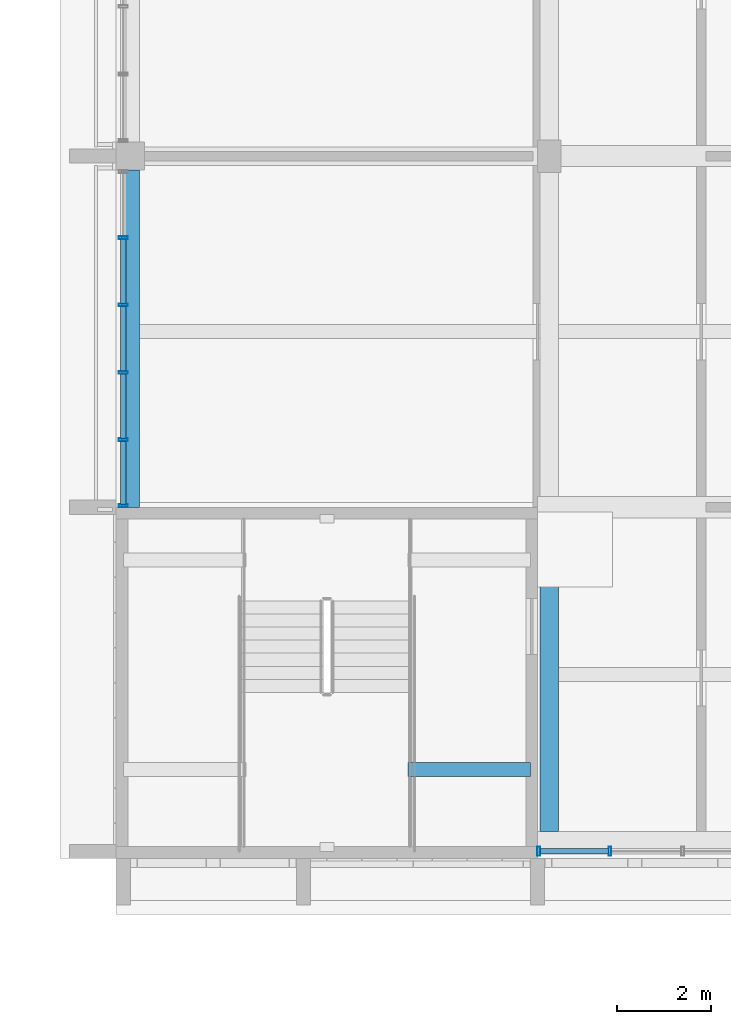
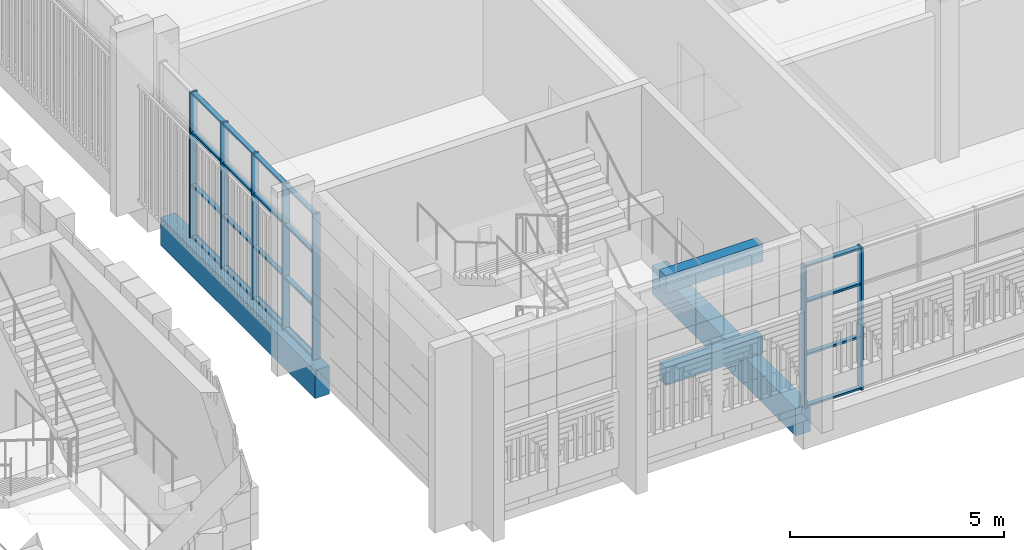
# One storey, part 29 of 125: 27 members, 4 beams, 2 elements without a shape of their own.
"""IFC4 building model written with IfcOpenShell, lengths in metres."""

from ifc_helpers import new_model, si_unit, direction, frame, origin, origin_2d, place, context, subcontext, project, spatial, rectangle, hollow_rectangle, extrude, material, material_profile, profile_set, type_object, element, aggregate, save


model = new_model("IFC4")

# Units and contexts
model_context = context("Model", 3, precision=1e-05, world=origin(), true_north=direction((0.0, 1.0)))
body_context = subcontext(model_context, "Body", "Model", "MODEL_VIEW")
ifc_project = project(units=[si_unit("LENGTHUNIT", "METRE"), si_unit("AREAUNIT", "SQUARE_METRE"), si_unit("VOLUMEUNIT", "CUBIC_METRE"), si_unit("PLANEANGLEUNIT", "RADIAN"), si_unit("MASSUNIT", "GRAM", prefix="KILO")], contexts=[model_context])

# Site, building, storey
site_placement = place(None, origin())
site = spatial("IfcSite", under=ifc_project, at=site_placement, CompositionType="ELEMENT")
building_placement = place(site_placement, origin())
building = spatial("IfcBuilding", under=site, at=building_placement, Name="Sun Court Science Centre", CompositionType="ELEMENT")
storey_placement = place(building_placement, frame((0.0, 0.0, 6.0)))
storey = spatial("IfcBuildingStorey", under=building, at=storey_placement, Name="L01", CompositionType="ELEMENT", Elevation=6.0)

# Curtain wall, members
ifc_material_1 = material(Name="Aluminium EN AW-6063 T6", Category="aluminium")
curtain_wall_type = type_object("IfcCurtainWallType", Name="Laboratory tall bay curtain wall 1500", PredefinedType="NOTDEFINED", material=ifc_material_1)
curtain_wall_1_placement = place(storey_placement, origin())
curtain_wall_1 = element("IfcCurtainWall", 1, at=curtain_wall_1_placement, inside=storey, type_object=curtain_wall_type, Name="Curtain wall V4 W L01 01", PredefinedType="NOTDEFINED")
ifc_material_2 = material(Name="Aluminium EN AW-6063 T6", Category="aluminium")
ifc_material_profile_1 = material_profile(ifc_material_2, hollow_rectangle(XDim=0.06005859375, YDim=0.199951171875, WallThickness=0.0048828125, InnerFilletRadius=0.0048828125, OuterFilletRadius=0.007568359375, at=origin_2d()), Name="AL 60x200x5")
ifc_profile_set_1 = profile_set([ifc_material_profile_1], Name="Aluminium EN AW-6063 T6")
member_type_1 = type_object("IfcMemberType", Name="Curtain wall mullion AL 60x200", PredefinedType="MULLION", material=ifc_profile_set_1)
member_1_placement = place(storey_placement, frame((78.14990234375, 13.530029296875, 0.0), z_axis=(0.0, 0.0, 1.0), x_axis=(0.0, 1.0, 0.0)))
member_1 = element("IfcMember", 2, at=member_1_placement, type_object=member_type_1, Name="CW2-10 mullion 1", PredefinedType="MULLION", context=body_context, shape_type="SweptSolid", body=[
    extrude(hollow_rectangle(XDim=0.06005859375, YDim=0.199951171875, WallThickness=0.0048828125, InnerFilletRadius=0.0048828125, OuterFilletRadius=0.007568359375, at=origin_2d()), origin(), (0.0, 0.0, 1.0), 4.14990234375),
])
member_2_placement = place(storey_placement, frame((78.14990234375, 14.93994140625, 0.0), z_axis=(0.0, 0.0, 1.0), x_axis=(0.0, 1.0, 0.0)))
member_2 = element("IfcMember", 3, at=member_2_placement, type_object=member_type_1, Name="CW2-10 mullion 2", PredefinedType="MULLION", context=body_context, shape_type="SweptSolid", body=[
    extrude(hollow_rectangle(XDim=0.06005859375, YDim=0.199951171875, WallThickness=0.0048828125, InnerFilletRadius=0.0048828125, OuterFilletRadius=0.007568359375, at=origin_2d()), origin(), (0.0, 0.0, 1.0), 4.14990234375),
])
member_3_placement = place(storey_placement, frame((78.14990234375, 16.3798828125, 0.0), z_axis=(0.0, 0.0, 1.0), x_axis=(0.0, 1.0, 0.0)))
member_3 = element("IfcMember", 4, at=member_3_placement, type_object=member_type_1, Name="CW2-10 mullion 3", PredefinedType="MULLION", context=body_context, shape_type="SweptSolid", body=[
    extrude(hollow_rectangle(XDim=0.06005859375, YDim=0.199951171875, WallThickness=0.0048828125, InnerFilletRadius=0.0048828125, OuterFilletRadius=0.007568359375, at=origin_2d()), origin(), (0.0, 0.0, 1.0), 4.14990234375),
])
member_4_placement = place(storey_placement, frame((78.14990234375, 17.820068359375, 0.0), z_axis=(0.0, 0.0, 1.0), x_axis=(0.0, 1.0, 0.0)))
member_4 = element("IfcMember", 5, at=member_4_placement, type_object=member_type_1, Name="CW2-10 mullion 4", PredefinedType="MULLION", context=body_context, shape_type="SweptSolid", body=[
    extrude(hollow_rectangle(XDim=0.06005859375, YDim=0.199951171875, WallThickness=0.0048828125, InnerFilletRadius=0.0048828125, OuterFilletRadius=0.007568359375, at=origin_2d()), origin(), (0.0, 0.0, 1.0), 4.14990234375),
])
member_5_placement = place(storey_placement, frame((78.14990234375, 19.260009765625, 0.0), z_axis=(0.0, 0.0, 1.0), x_axis=(0.0, 1.0, 0.0)))
member_5 = element("IfcMember", 6, at=member_5_placement, type_object=member_type_1, Name="CW2-10 mullion 5", PredefinedType="MULLION", context=body_context, shape_type="SweptSolid", body=[
    extrude(hollow_rectangle(XDim=0.06005859375, YDim=0.199951171875, WallThickness=0.0048828125, InnerFilletRadius=0.0048828125, OuterFilletRadius=0.007568359375, at=origin_2d()), origin(), (0.0, 0.0, 1.0), 4.14990234375),
])

curtain_wall_2_placement = place(storey_placement, origin())
curtain_wall_2 = element("IfcCurtainWall", 7, at=curtain_wall_2_placement, inside=storey, type_object=curtain_wall_type, Name="Curtain wall V4 S L01 02", PredefinedType="NOTDEFINED")
member_6_placement = place(storey_placement, frame((87.030029296875, 6.14990234375, 0.0), z_axis=(0.0, 0.0, 1.0), x_axis=(-1.0, 0.0, 0.0)))
member_6 = element("IfcMember", 8, at=member_6_placement, type_object=member_type_1, Name="CW2-50 mullion 6", PredefinedType="MULLION", context=body_context, shape_type="SweptSolid", body=[
    extrude(hollow_rectangle(XDim=0.06005859375, YDim=0.199951171875, WallThickness=0.0048828125, InnerFilletRadius=0.0048828125, OuterFilletRadius=0.007568359375, at=origin_2d()), origin(), (0.0, 0.0, 1.0), 4.050048828125),
])
member_7_placement = place(storey_placement, frame((88.550048828125, 6.14990234375, 0.0), z_axis=(0.0, 0.0, 1.0), x_axis=(-1.0, 0.0, 0.0)))
member_7 = element("IfcMember", 9, at=member_7_placement, type_object=member_type_1, Name="CW2-50 mullion 5", PredefinedType="MULLION", context=body_context, shape_type="SweptSolid", body=[
    extrude(hollow_rectangle(XDim=0.06005859375, YDim=0.199951171875, WallThickness=0.0048828125, InnerFilletRadius=0.0048828125, OuterFilletRadius=0.007568359375, at=origin_2d()), origin(), (0.0, 0.0, 1.0), 4.050048828125),
])

# Member
ifc_material_3 = material(Name="Aluminium EN AW-6063 T6", Category="aluminium")
ifc_material_profile_2 = material_profile(ifc_material_3, hollow_rectangle(XDim=0.06005859375, YDim=0.1201171875, WallThickness=0.00390625, InnerFilletRadius=0.00390625, OuterFilletRadius=0.006103515625, at=origin_2d()), Name="AL 60x120x4")
ifc_profile_set_2 = profile_set([ifc_material_profile_2], Name="Aluminium EN AW-6063 T6")
member_type_2 = type_object("IfcMemberType", Name="Curtain wall transom AL 60x120", PredefinedType="USERDEFINED", material=ifc_profile_set_2)
member_8_placement = place(storey_placement, frame((78.14990234375, 13.56005859375, 0.030029296875), z_axis=(0.0, 1.0, 0.0), x_axis=(0.0, 0.0, 1.0)))
member_8 = element("IfcMember", 10, at=member_8_placement, type_object=member_type_2, Name="CW2-10 transom 1.1", ObjectType="TRANSOM", PredefinedType="USERDEFINED", context=body_context, shape_type="SweptSolid", body=[
    extrude(hollow_rectangle(XDim=0.06005859375, YDim=0.1201171875, WallThickness=0.00390625, InnerFilletRadius=0.00390625, OuterFilletRadius=0.006103515625, at=origin_2d()), origin(), (0.0, 0.0, 1.0), 1.349853515625),
])

member_9_placement = place(storey_placement, frame((78.14990234375, 14.969970703125, 0.030029296875), z_axis=(0.0, 1.0, 0.0), x_axis=(0.0, 0.0, 1.0)))
member_9 = element("IfcMember", 11, at=member_9_placement, type_object=member_type_2, Name="CW2-10 transom 2.1", ObjectType="TRANSOM", PredefinedType="USERDEFINED", context=body_context, shape_type="SweptSolid", body=[
    extrude(hollow_rectangle(XDim=0.06005859375, YDim=0.1201171875, WallThickness=0.00390625, InnerFilletRadius=0.00390625, OuterFilletRadius=0.006103515625, at=origin_2d()), origin(), (0.0, 0.0, 1.0), 1.380126953125),
])

member_10_placement = place(storey_placement, frame((78.14990234375, 16.409912109375, 0.030029296875), z_axis=(0.0, 1.0, 0.0), x_axis=(0.0, 0.0, 1.0)))
member_10 = element("IfcMember", 12, at=member_10_placement, type_object=member_type_2, Name="CW2-10 transom 3.1", ObjectType="TRANSOM", PredefinedType="USERDEFINED", context=body_context, shape_type="SweptSolid", body=[
    extrude(hollow_rectangle(XDim=0.06005859375, YDim=0.1201171875, WallThickness=0.00390625, InnerFilletRadius=0.00390625, OuterFilletRadius=0.006103515625, at=origin_2d()), origin(), (0.0, 0.0, 1.0), 1.380126953125),
])

member_11_placement = place(storey_placement, frame((78.14990234375, 17.85009765625, 0.030029296875), z_axis=(0.0, 1.0, 0.0), x_axis=(0.0, 0.0, 1.0)))
member_11 = element("IfcMember", 13, at=member_11_placement, type_object=member_type_2, Name="CW2-10 transom 4.1", ObjectType="TRANSOM", PredefinedType="USERDEFINED", context=body_context, shape_type="SweptSolid", body=[
    extrude(hollow_rectangle(XDim=0.06005859375, YDim=0.1201171875, WallThickness=0.00390625, InnerFilletRadius=0.00390625, OuterFilletRadius=0.006103515625, at=origin_2d()), origin(), (0.0, 0.0, 1.0), 1.3798828125),
])

member_12_placement = place(storey_placement, frame((78.14990234375, 13.56005859375, 1.5), z_axis=(0.0, 1.0, 0.0), x_axis=(0.0, 0.0, 1.0)))
member_12 = element("IfcMember", 14, at=member_12_placement, type_object=member_type_2, Name="CW2-10 transom 1.2", ObjectType="TRANSOM", PredefinedType="USERDEFINED", context=body_context, shape_type="SweptSolid", body=[
    extrude(hollow_rectangle(XDim=0.06005859375, YDim=0.1201171875, WallThickness=0.00390625, InnerFilletRadius=0.00390625, OuterFilletRadius=0.006103515625, at=origin_2d()), origin(), (0.0, 0.0, 1.0), 1.349853515625),
])

member_13_placement = place(storey_placement, frame((78.14990234375, 14.969970703125, 1.5), z_axis=(0.0, 1.0, 0.0), x_axis=(0.0, 0.0, 1.0)))
member_13 = element("IfcMember", 15, at=member_13_placement, type_object=member_type_2, Name="CW2-10 transom 2.2", ObjectType="TRANSOM", PredefinedType="USERDEFINED", context=body_context, shape_type="SweptSolid", body=[
    extrude(hollow_rectangle(XDim=0.06005859375, YDim=0.1201171875, WallThickness=0.00390625, InnerFilletRadius=0.00390625, OuterFilletRadius=0.006103515625, at=origin_2d()), origin(), (0.0, 0.0, 1.0), 1.380126953125),
])

member_14_placement = place(storey_placement, frame((78.14990234375, 16.409912109375, 1.5), z_axis=(0.0, 1.0, 0.0), x_axis=(0.0, 0.0, 1.0)))
member_14 = element("IfcMember", 16, at=member_14_placement, type_object=member_type_2, Name="CW2-10 transom 3.2", ObjectType="TRANSOM", PredefinedType="USERDEFINED", context=body_context, shape_type="SweptSolid", body=[
    extrude(hollow_rectangle(XDim=0.06005859375, YDim=0.1201171875, WallThickness=0.00390625, InnerFilletRadius=0.00390625, OuterFilletRadius=0.006103515625, at=origin_2d()), origin(), (0.0, 0.0, 1.0), 1.380126953125),
])

member_15_placement = place(storey_placement, frame((78.14990234375, 17.85009765625, 1.5), z_axis=(0.0, 1.0, 0.0), x_axis=(0.0, 0.0, 1.0)))
member_15 = element("IfcMember", 17, at=member_15_placement, type_object=member_type_2, Name="CW2-10 transom 4.2", ObjectType="TRANSOM", PredefinedType="USERDEFINED", context=body_context, shape_type="SweptSolid", body=[
    extrude(hollow_rectangle(XDim=0.06005859375, YDim=0.1201171875, WallThickness=0.00390625, InnerFilletRadius=0.00390625, OuterFilletRadius=0.006103515625, at=origin_2d()), origin(), (0.0, 0.0, 1.0), 1.3798828125),
])

member_16_placement = place(storey_placement, frame((78.14990234375, 13.56005859375, 3.0), z_axis=(0.0, 1.0, 0.0), x_axis=(0.0, 0.0, 1.0)))
member_16 = element("IfcMember", 18, at=member_16_placement, type_object=member_type_2, Name="CW2-10 transom 1.3", ObjectType="TRANSOM", PredefinedType="USERDEFINED", context=body_context, shape_type="SweptSolid", body=[
    extrude(hollow_rectangle(XDim=0.06005859375, YDim=0.1201171875, WallThickness=0.00390625, InnerFilletRadius=0.00390625, OuterFilletRadius=0.006103515625, at=origin_2d()), origin(), (0.0, 0.0, 1.0), 1.349853515625),
])

member_17_placement = place(storey_placement, frame((78.14990234375, 14.969970703125, 3.0), z_axis=(0.0, 1.0, 0.0), x_axis=(0.0, 0.0, 1.0)))
member_17 = element("IfcMember", 19, at=member_17_placement, type_object=member_type_2, Name="CW2-10 transom 2.3", ObjectType="TRANSOM", PredefinedType="USERDEFINED", context=body_context, shape_type="SweptSolid", body=[
    extrude(hollow_rectangle(XDim=0.06005859375, YDim=0.1201171875, WallThickness=0.00390625, InnerFilletRadius=0.00390625, OuterFilletRadius=0.006103515625, at=origin_2d()), origin(), (0.0, 0.0, 1.0), 1.380126953125),
])

member_18_placement = place(storey_placement, frame((78.14990234375, 16.409912109375, 3.0), z_axis=(0.0, 1.0, 0.0), x_axis=(0.0, 0.0, 1.0)))
member_18 = element("IfcMember", 20, at=member_18_placement, type_object=member_type_2, Name="CW2-10 transom 3.3", ObjectType="TRANSOM", PredefinedType="USERDEFINED", context=body_context, shape_type="SweptSolid", body=[
    extrude(hollow_rectangle(XDim=0.06005859375, YDim=0.1201171875, WallThickness=0.00390625, InnerFilletRadius=0.00390625, OuterFilletRadius=0.006103515625, at=origin_2d()), origin(), (0.0, 0.0, 1.0), 1.380126953125),
])

member_19_placement = place(storey_placement, frame((78.14990234375, 17.85009765625, 3.0), z_axis=(0.0, 1.0, 0.0), x_axis=(0.0, 0.0, 1.0)))
member_19 = element("IfcMember", 21, at=member_19_placement, type_object=member_type_2, Name="CW2-10 transom 4.3", ObjectType="TRANSOM", PredefinedType="USERDEFINED", context=body_context, shape_type="SweptSolid", body=[
    extrude(hollow_rectangle(XDim=0.06005859375, YDim=0.1201171875, WallThickness=0.00390625, InnerFilletRadius=0.00390625, OuterFilletRadius=0.006103515625, at=origin_2d()), origin(), (0.0, 0.0, 1.0), 1.3798828125),
])

member_20_placement = place(storey_placement, frame((78.14990234375, 13.56005859375, 4.1201171875), z_axis=(0.0, 1.0, 0.0), x_axis=(0.0, 0.0, 1.0)))
member_20 = element("IfcMember", 22, at=member_20_placement, type_object=member_type_2, Name="CW2-10 transom 1.4", ObjectType="TRANSOM", PredefinedType="USERDEFINED", context=body_context, shape_type="SweptSolid", body=[
    extrude(hollow_rectangle(XDim=0.06005859375, YDim=0.1201171875, WallThickness=0.00390625, InnerFilletRadius=0.00390625, OuterFilletRadius=0.006103515625, at=origin_2d()), origin(), (0.0, 0.0, 1.0), 1.349853515625),
])

member_21_placement = place(storey_placement, frame((78.14990234375, 14.969970703125, 4.1201171875), z_axis=(0.0, 1.0, 0.0), x_axis=(0.0, 0.0, 1.0)))
member_21 = element("IfcMember", 23, at=member_21_placement, type_object=member_type_2, Name="CW2-10 transom 2.4", ObjectType="TRANSOM", PredefinedType="USERDEFINED", context=body_context, shape_type="SweptSolid", body=[
    extrude(hollow_rectangle(XDim=0.06005859375, YDim=0.1201171875, WallThickness=0.00390625, InnerFilletRadius=0.00390625, OuterFilletRadius=0.006103515625, at=origin_2d()), origin(), (0.0, 0.0, 1.0), 1.380126953125),
])

member_22_placement = place(storey_placement, frame((78.14990234375, 16.409912109375, 4.1201171875), z_axis=(0.0, 1.0, 0.0), x_axis=(0.0, 0.0, 1.0)))
member_22 = element("IfcMember", 24, at=member_22_placement, type_object=member_type_2, Name="CW2-10 transom 3.4", ObjectType="TRANSOM", PredefinedType="USERDEFINED", context=body_context, shape_type="SweptSolid", body=[
    extrude(hollow_rectangle(XDim=0.06005859375, YDim=0.1201171875, WallThickness=0.00390625, InnerFilletRadius=0.00390625, OuterFilletRadius=0.006103515625, at=origin_2d()), origin(), (0.0, 0.0, 1.0), 1.380126953125),
])

member_23_placement = place(storey_placement, frame((78.14990234375, 17.85009765625, 4.1201171875), z_axis=(0.0, 1.0, 0.0), x_axis=(0.0, 0.0, 1.0)))
member_23 = element("IfcMember", 25, at=member_23_placement, type_object=member_type_2, Name="CW2-10 transom 4.4", ObjectType="TRANSOM", PredefinedType="USERDEFINED", context=body_context, shape_type="SweptSolid", body=[
    extrude(hollow_rectangle(XDim=0.06005859375, YDim=0.1201171875, WallThickness=0.00390625, InnerFilletRadius=0.00390625, OuterFilletRadius=0.006103515625, at=origin_2d()), origin(), (0.0, 0.0, 1.0), 1.3798828125),
])

aggregate(curtain_wall_1, [member_1, member_2, member_3, member_4, member_5, member_8, member_9, member_10, member_11, member_12, member_13, member_14, member_15, member_16, member_17, member_18, member_19, member_20, member_21, member_22, member_23])

member_24_placement = place(storey_placement, frame((88.52001953125, 6.14990234375, 0.030029296875), z_axis=(-1.0, 0.0, 0.0), x_axis=(0.0, 0.0, 1.0)))
member_24 = element("IfcMember", 26, at=member_24_placement, type_object=member_type_2, Name="CW2-50 transom 5.1", ObjectType="TRANSOM", PredefinedType="USERDEFINED", context=body_context, shape_type="SweptSolid", body=[
    extrude(hollow_rectangle(XDim=0.06005859375, YDim=0.1201171875, WallThickness=0.00390625, InnerFilletRadius=0.00390625, OuterFilletRadius=0.006103515625, at=origin_2d()), origin(), (0.0, 0.0, 1.0), 1.4599609375),
])

member_25_placement = place(storey_placement, frame((88.52001953125, 6.14990234375, 1.5), z_axis=(-1.0, 0.0, 0.0), x_axis=(0.0, 0.0, 1.0)))
member_25 = element("IfcMember", 27, at=member_25_placement, type_object=member_type_2, Name="CW2-50 transom 5.2", ObjectType="TRANSOM", PredefinedType="USERDEFINED", context=body_context, shape_type="SweptSolid", body=[
    extrude(hollow_rectangle(XDim=0.06005859375, YDim=0.1201171875, WallThickness=0.00390625, InnerFilletRadius=0.00390625, OuterFilletRadius=0.006103515625, at=origin_2d()), origin(), (0.0, 0.0, 1.0), 1.4599609375),
])

member_26_placement = place(storey_placement, frame((88.52001953125, 6.14990234375, 3.0), z_axis=(-1.0, 0.0, 0.0), x_axis=(0.0, 0.0, 1.0)))
member_26 = element("IfcMember", 28, at=member_26_placement, type_object=member_type_2, Name="CW2-50 transom 5.3", ObjectType="TRANSOM", PredefinedType="USERDEFINED", context=body_context, shape_type="SweptSolid", body=[
    extrude(hollow_rectangle(XDim=0.06005859375, YDim=0.1201171875, WallThickness=0.00390625, InnerFilletRadius=0.00390625, OuterFilletRadius=0.006103515625, at=origin_2d()), origin(), (0.0, 0.0, 1.0), 1.4599609375),
])

member_27_placement = place(storey_placement, frame((88.52001953125, 6.14990234375, 4.02001953125), z_axis=(-1.0, 0.0, 0.0), x_axis=(0.0, 0.0, 1.0)))
member_27 = element("IfcMember", 29, at=member_27_placement, type_object=member_type_2, Name="CW2-50 transom 5.4", ObjectType="TRANSOM", PredefinedType="USERDEFINED", context=body_context, shape_type="SweptSolid", body=[
    extrude(hollow_rectangle(XDim=0.06005859375, YDim=0.1201171875, WallThickness=0.00390625, InnerFilletRadius=0.00390625, OuterFilletRadius=0.006103515625, at=origin_2d()), origin(), (0.0, 0.0, 1.0), 1.4599609375),
])

aggregate(curtain_wall_2, [member_6, member_7, member_24, member_25, member_26, member_27])

# Beams
ifc_material_4 = material(Name="Concrete C25/30", Category="concrete")
ifc_material_profile_3 = material_profile(ifc_material_4, rectangle(XDim=0.39990234375, YDim=0.800048828125, at=origin_2d()), Name="RC 400x800")
ifc_profile_set_3 = profile_set([ifc_material_profile_3], Name="Concrete C25/30")
beam_type_1 = type_object("IfcBeamType", Name="RC girder 400x800", PredefinedType="BEAM", material=ifc_profile_set_3)
beam_1_placement = place(storey_placement, frame((78.300048828125, 13.5, -0.699951171875), z_axis=(0.0, 1.0, 0.0), x_axis=(-1.0, 0.0, 0.0)))
element("IfcBeam", 30, at=beam_1_placement, inside=storey, type_object=beam_type_1, Name="Girder L01 line 1", PredefinedType="BEAM", context=body_context, shape_type="SweptSolid", body=[
    extrude(rectangle(XDim=0.39990234375, YDim=0.800048828125, at=origin_2d()), origin(), (0.0, 0.0, 1.0), 7.199951171875),
])
beam_2_placement = place(storey_placement, frame((87.25, 6.574951171875, -0.699951171875), z_axis=(0.0, 1.0, 0.0), x_axis=(-1.0, 0.0, 0.0)))
element("IfcBeam", 31, at=beam_2_placement, inside=storey, type_object=beam_type_1, Name="Girder L01 line 2", PredefinedType="BEAM", context=body_context, shape_type="SweptSolid", body=[
    extrude(rectangle(XDim=0.39990234375, YDim=0.800048828125, at=origin_2d()), origin(), (0.0, 0.0, 1.0), 6.699951171875),
])
ifc_material_5 = material(Name="Concrete C25/30", Category="concrete")
ifc_material_profile_4 = material_profile(ifc_material_5, rectangle(XDim=0.300048828125, YDim=0.5, at=origin_2d()), Name="RC 300x500")
ifc_profile_set_4 = profile_set([ifc_material_profile_4], Name="Concrete C25/30")
beam_type_2 = type_object("IfcBeamType", Name="RC landing trimmer 300x500", PredefinedType="BEAM", material=ifc_profile_set_4)
for number, where, z_axis, x_axis, name in (
    (32, (86.85009765625, 7.89599609375, 0.862548828125), (-1.0, 0.0, 0.0), (0.0, -1.0, 0.0), "SL1 landing 1 trimmer beam 11"),
    (33, (86.85009765625, 7.89599609375, 3.487548828125), (-1.0, 0.0, 0.0), (0.0, -1.0, 0.0), "SL1 landing 3 trimmer beam 17"),
):
    element("IfcBeam", number, at=place(storey_placement, frame(where, z_axis=z_axis, x_axis=x_axis)), inside=storey, type_object=beam_type_2, Name=name, PredefinedType="BEAM", context=body_context, shape_type="SweptSolid", body=[
        extrude(rectangle(XDim=0.300048828125, YDim=0.5, at=origin_2d()), origin(), (0.0, 0.0, 1.0), 2.6171875),
    ])

save(model, "model.ifc")
